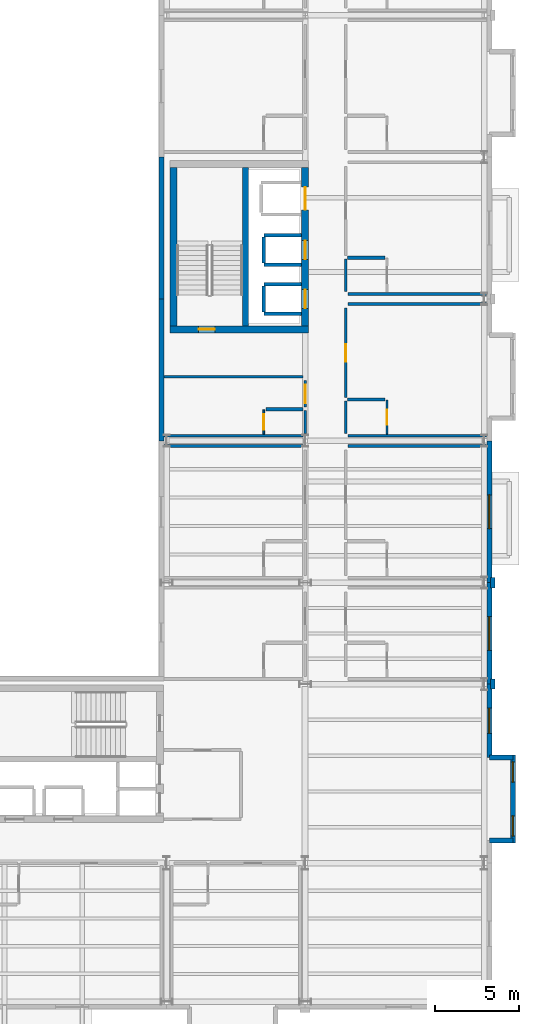
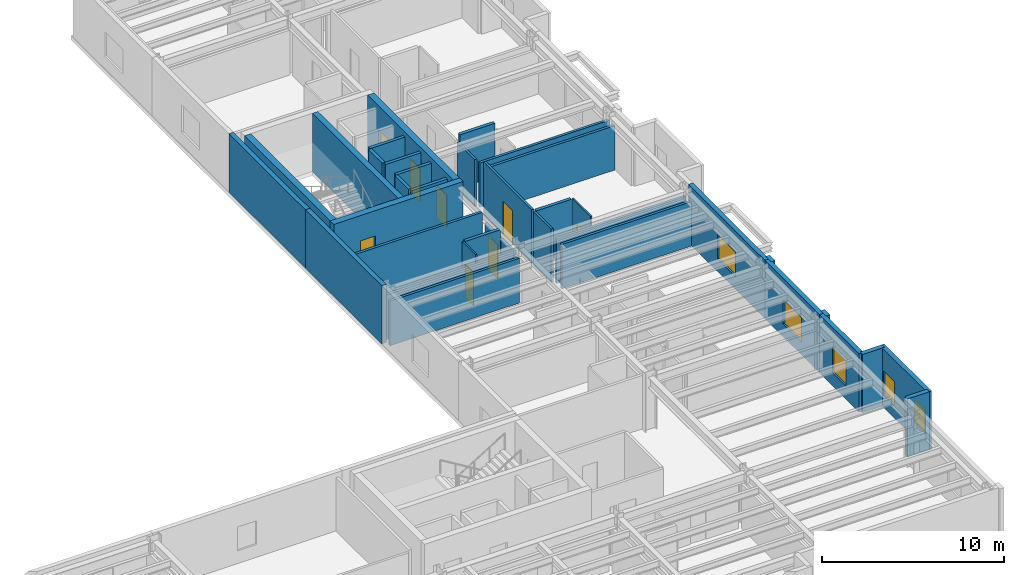
# One storey, part 37 of 46: 37 walls, 8 doors, 5 windows, 13 openings.
"""IFC4 building model written with IfcOpenShell, lengths in metres."""

import ifcopenshell
import ifcopenshell.guid

model = None  # the IFC model being written
_history = None  # IfcOwnerHistory: only IFC2X3 demands one
_inside = {}  # id of a spatial element -> (the spatial element, [elements in it])
_under = {}  # id of a project, library or spatial element -> (it, [spatial elements below it])
_declared = {}  # id of a project -> (the project, [libraries it declares])
_typed = {}  # id of a type object -> (the type object, [elements of that type])
_made_of = {}  # id of a material, layer set ... -> (it, [elements and type objects made of it])


def new_model(schema):
    """Start an empty IFC model of exactly this schema.

    Asked for "IFC4X3", IfcOpenShell would pick the latest addendum, in which some entities
    have other attributes; the version numbers below select the first issue.
    IFC2X3 requires an IfcOwnerHistory on every rooted entity: one is made here for all.
    """
    global model, _history
    if schema == "IFC4X3":
        model = ifcopenshell.file(schema_version=(4, 3, 0, 0))
    else:
        model = ifcopenshell.file(schema=schema)
    _inside.clear()
    _under.clear()
    _declared.clear()
    _typed.clear()
    _made_of.clear()
    _history = None
    if model.schema == "IFC2X3":
        org = make("IfcOrganization", Name="unknown")
        user = make(
            "IfcPersonAndOrganization",
            ThePerson=make("IfcPerson", FamilyName="unknown"),
            TheOrganization=org,
        )
        app = make(
            "IfcApplication",
            ApplicationDeveloper=org,
            Version="unknown",
            ApplicationFullName="unknown",
            ApplicationIdentifier="unknown",
        )
        _history = make(
            "IfcOwnerHistory",
            OwningUser=user,
            OwningApplication=app,
            ChangeAction="ADDED",
            CreationDate=0,
        )
    return model


def make(cls, **values):
    """One entity of the class cls with the attributes given. An attribute that is None is left unset."""
    return model.create_entity(
        cls, **{name: value for name, value in values.items() if value is not None}
    )


def rooted(cls, **values):
    """An entity with a GlobalId (a new one), such as an element, a storey or a relation."""
    return make(cls, GlobalId=ifcopenshell.guid.new(), OwnerHistory=_history, **values)


def si_unit(unit_type, name, prefix=None):
    """IfcSIUnit, for example si_unit("LENGTHUNIT", "METRE", prefix="MILLI")."""
    return make("IfcSIUnit", UnitType=unit_type, Prefix=prefix, Name=name)


def assignment(units):
    """IfcUnitAssignment: the units of a project."""
    return None if units is None else make("IfcUnitAssignment", Units=units)


def point(xyz):
    """IfcCartesianPoint."""
    return None if xyz is None else make("IfcCartesianPoint", Coordinates=xyz)


def direction(xyz):
    """IfcDirection."""
    return None if xyz is None else make("IfcDirection", DirectionRatios=xyz)


def frame(location, z_axis=None, x_axis=None):
    """IfcAxis2Placement3D, a coordinate frame: its origin and axes. An axis left out is left unset."""
    return make(
        "IfcAxis2Placement3D",
        Location=point(location),
        Axis=direction(z_axis),
        RefDirection=direction(x_axis),
    )


def frame_2d(location, x_axis=None):
    """IfcAxis2Placement2D, a coordinate frame in the plane: its origin and x axis."""
    return make(
        "IfcAxis2Placement2D", Location=point(location), RefDirection=direction(x_axis)
    )


def origin():
    """The frame at (0, 0, 0) with its axes left unset."""
    return frame((0.0, 0.0, 0.0))


def place(relative_to, where):
    """IfcLocalPlacement: puts the frame where relative to a parent placement (None: the world)."""
    return make(
        "IfcLocalPlacement", PlacementRelTo=relative_to, RelativePlacement=where
    )


def context(
    kind, dimensions, precision=None, world=None, true_north=None, identifier=None
):
    """IfcGeometricRepresentationContext, for example the 3D "Model" context."""
    return make(
        "IfcGeometricRepresentationContext",
        ContextIdentifier=identifier,
        ContextType=kind,
        CoordinateSpaceDimension=dimensions,
        Precision=precision,
        WorldCoordinateSystem=world,
        TrueNorth=true_north,
    )


def subcontext(parent, identifier, kind, view, scale=None):
    """IfcGeometricRepresentationSubContext, for example "Body" below "Model"."""
    return make(
        "IfcGeometricRepresentationSubContext",
        ContextIdentifier=identifier,
        ContextType=kind,
        ParentContext=parent,
        TargetScale=scale,
        TargetView=view,
    )


def project(units=None, contexts=None):
    """IfcProject with its units and contexts."""
    return rooted(
        "IfcProject",
        Name="project",
        RepresentationContexts=contexts,
        UnitsInContext=assignment(units),
    )


def spatial(cls, under=None, at=None, **own):
    """A site, building, storey or space (cls), placed at a placement, below another one or the project."""
    s = rooted(cls, ObjectPlacement=at, **own)
    if under is not None:
        _under.setdefault(under.id(), (under, []))[1].append(s)
    return s


def profile(cls, at=None, kind="AREA", **sizes):
    """A parametric profile (cls). Its sizes go by their IFC names, for example OverallWidth=200.0."""
    return make(cls, ProfileType=kind, Position=at, **sizes)


def rectangle(**sizes):
    """IfcRectangleProfileDef."""
    return profile("IfcRectangleProfileDef", **sizes)


def extrude(swept, where, along, depth):
    """IfcExtrudedAreaSolid: the profile swept, set in the frame where, extruded along a direction by depth."""
    return make(
        "IfcExtrudedAreaSolid",
        SweptArea=swept,
        Position=where,
        ExtrudedDirection=direction(along),
        Depth=depth,
    )


def shape(context_of_items, identifier, shape_type, items):
    """IfcShapeRepresentation: the items that make up one representation, for example the "Body"."""
    return make(
        "IfcShapeRepresentation",
        ContextOfItems=context_of_items,
        RepresentationIdentifier=identifier,
        RepresentationType=shape_type,
        Items=items,
    )


def material(Name=None, Category=None):
    """IfcMaterial."""
    return make("IfcMaterial", Name=Name, Category=Category)


def layer(
    of_material, thickness, ventilated=None, Name=None, Category=None, Priority=None
):
    """IfcMaterialLayer: one layer of a wall or slab, of a material (None: an air gap)."""
    return make(
        "IfcMaterialLayer",
        Material=of_material,
        LayerThickness=thickness,
        IsVentilated=ventilated,
        Name=Name,
        Category=Category,
        Priority=Priority,
    )


def layer_set(layers, Name=None):
    """IfcMaterialLayerSet."""
    return make("IfcMaterialLayerSet", MaterialLayers=layers, LayerSetName=Name)


def made_of(thing, what):
    """Note that an element or type object is made of a material, layer set ...; save() writes the relation."""
    if what is not None:
        _made_of.setdefault(what.id(), (what, []))[1].append(thing)
    return thing


def type_object(cls, material=None, **own):
    """A type object (cls), such as IfcWallType, which elements share."""
    return made_of(rooted(cls, **own), material)


def element(
    cls,
    number,
    at=None,
    inside=None,
    cuts=None,
    type_object=None,
    material=None,
    context=None,
    identifier="Body",
    shape_type=None,
    held_by="IfcProductDefinitionShape",
    body=None,
    shapes=None,
    **own,
):
    """One element of the class cls, such as IfcWall. Its Tag is "e" and its number.

    at: its placement. inside: the storey or other place that contains it. cuts: it is an
    opening in that element (IfcRelVoidsElement). A single representation is given by context,
    identifier, shape_type and body (its items); several are given by shapes. held_by: the class
    of the entity that holds the representations. save() writes the other relations.
    """
    e = rooted(cls, Tag="e%d" % number, ObjectPlacement=at, **own)
    if body is not None:
        shapes = [shape(context, identifier, shape_type, body)]
    if shapes is not None:
        e.Representation = make(held_by, Representations=shapes)
    if inside is not None:
        _inside.setdefault(inside.id(), (inside, []))[1].append(e)
    if cuts is not None:
        rooted(
            "IfcRelVoidsElement", RelatingBuildingElement=cuts, RelatedOpeningElement=e
        )
    if type_object is not None:
        _typed.setdefault(type_object.id(), (type_object, []))[1].append(e)
    return made_of(e, material)


def fill(opening, filler):
    """IfcRelFillsElement: the door or window that sits in an opening."""
    return rooted(
        "IfcRelFillsElement",
        RelatingOpeningElement=opening,
        RelatedBuildingElement=filler,
    )


def aggregate(whole, parts):
    """IfcRelAggregates: a whole, such as a stair, and the parts it consists of."""
    return rooted("IfcRelAggregates", RelatingObject=whole, RelatedObjects=parts)


def save(model, path):
    """Write the relations noted so far, then the file.

    IfcRelAggregates (storeys below a building ...), IfcRelContainedInSpatialStructure (elements
    in a storey), IfcRelDefinesByType, IfcRelAssociatesMaterial and IfcRelDeclares: one each for
    every whole, place, type object, material and project.
    """
    for whole, parts in _under.values():
        aggregate(whole, parts)
    for where, things in _inside.values():
        rooted(
            "IfcRelContainedInSpatialStructure",
            RelatedElements=things,
            RelatingStructure=where,
        )
    for kind, things in _typed.values():
        rooted("IfcRelDefinesByType", RelatedObjects=things, RelatingType=kind)
    for what, things in _made_of.values():
        rooted("IfcRelAssociatesMaterial", RelatedObjects=things, RelatingMaterial=what)
    for by, libraries in _declared.values():
        rooted("IfcRelDeclares", RelatingContext=by, RelatedDefinitions=libraries)
    model.write(path)


model = new_model("IFC4")

# Units and contexts
model_context = context("Model", 3, precision=1e-05, world=origin(), true_north=direction((0.0, 1.0)))
body_context = subcontext(model_context, "Body", "Model", "MODEL_VIEW")
ifc_project = project(units=[si_unit("LENGTHUNIT", "METRE"), si_unit("AREAUNIT", "SQUARE_METRE"), si_unit("VOLUMEUNIT", "CUBIC_METRE"), si_unit("PLANEANGLEUNIT", "RADIAN"), si_unit("MASSUNIT", "GRAM", prefix="KILO")], contexts=[model_context])

# Site, building, storey
site_placement = place(None, origin())
site = spatial("IfcSite", under=ifc_project, at=site_placement, CompositionType="ELEMENT")
building_placement = place(site_placement, origin())
building = spatial("IfcBuilding", under=site, at=building_placement, Name="Sollismere Congress Hotel", CompositionType="ELEMENT")
storey_placement = place(building_placement, frame((0.0, 0.0, 19.5)))
storey = spatial("IfcBuildingStorey", under=building, at=storey_placement, Name="L04", CompositionType="ELEMENT", Elevation=19.5)

# Wall, opening, window
ifc_material_1 = material(Name="Colorado Buff Sandstone Rainscreen on Insulated Backup", Category="masonry")
ifc_layer_1 = layer(ifc_material_1, 0.284912109375, Name="Colorado Buff Sandstone Rainscreen on Insulated Backup")
ifc_layer_set_1 = layer_set([ifc_layer_1], Name="Colorado Buff Sandstone Rainscreen on Insulated Backup")
wall_type_1 = type_object("IfcWallType", Name="WL-EXT285", PredefinedType="STANDARD", material=ifc_layer_set_1)
wall_1_placement = place(storey_placement, frame((166.31005859375, 14.4599609375, 0.0), z_axis=(0.0, 0.0, 1.0), x_axis=(0.0, 1.0, 0.0)))
wall_1 = element("IfcWall", 1, at=wall_1_placement, inside=storey, type_object=wall_type_1, Name="Exterior wall EW-L04-522", PredefinedType="STANDARD", context=body_context, shape_type="SweptSolid", body=[
    extrude(rectangle(XDim=4.340087890625, YDim=0.284912109375, at=frame_2d((2.169921875, 0.0))), origin(), (0.0, 0.0, 1.0), 3.89990234375),
])
opening_1_placement = place(wall_1_placement, frame((1.419921875, 0.0, 0.8798828125)))
opening_1 = element("IfcOpeningElement", 2, at=opening_1_placement, cuts=wall_1, Name="Opening W-L04-395", PredefinedType="OPENING", context=body_context, shape_type="SweptSolid", body=[
    extrude(rectangle(XDim=1.5, YDim=1.699951171875, at=frame_2d((0.75, 0.85009765625))), frame((0.0, 0.15234375, 0.0), z_axis=(0.0, -1.0, 0.0), x_axis=(1.0, 0.0, 0.0)), (0.0, 0.0, 1.0), 0.304931640625),
])
ifc_material_2 = material(Name="Thermally Broken Bronze Aluminum & Low-E Glass", Category="aluminium")
window_type_1 = type_object("IfcWindowType", Name="WN-P150x170", PartitioningType="SINGLE_PANEL", PredefinedType="WINDOW", material=ifc_material_2)
window_1_placement = place(opening_1_placement, origin())
window_1 = element("IfcWindow", 3, at=window_1_placement, inside=storey, type_object=window_type_1, Name="WIN-W-L04-395", OverallHeight=1.699951171875, OverallWidth=1.5, PartitioningType="SINGLE_PANEL", PredefinedType="WINDOW", context=body_context, shape_type="SweptSolid", body=[
    extrude(rectangle(XDim=1.5, YDim=1.699951171875, at=frame_2d((0.75, 0.85009765625))), frame((0.0, 0.030029296875, 0.0), z_axis=(0.0, -1.0, 0.0), x_axis=(1.0, 0.0, 0.0)), (0.0, 0.0, 1.0), 0.06005859375),
])
fill(opening_1, window_1)

# Wall, openings, windows
wall_2_placement = place(storey_placement, frame((167.699951171875, 9.39990234375, 0.0), z_axis=(0.0, 0.0, 1.0), x_axis=(0.0, 1.0, 0.0)))
wall_2 = element("IfcWall", 4, at=wall_2_placement, inside=storey, type_object=wall_type_1, Name="Exterior wall EW-L04-523", PredefinedType="STANDARD", context=body_context, shape_type="SweptSolid", body=[
    extrude(rectangle(XDim=5.2001953125, YDim=0.284912109375, at=frame_2d((2.60009765625, 0.0))), origin(), (0.0, 0.0, 1.0), 3.89990234375),
])
opening_2_placement = place(wall_2_placement, frame((0.39990234375, 0.0, 0.85009765625)))
opening_2 = element("IfcOpeningElement", 5, at=opening_2_placement, cuts=wall_2, Name="Opening W-L04-396", PredefinedType="OPENING", context=body_context, shape_type="SweptSolid", body=[
    extrude(rectangle(XDim=1.199951171875, YDim=1.60009765625, at=frame_2d((0.60009765625, 0.800048828125))), frame((0.0, 0.15234375, 0.0), z_axis=(0.0, -1.0, 0.0), x_axis=(1.0, 0.0, 0.0)), (0.0, 0.0, 1.0), 0.304931640625),
])
opening_3_placement = place(wall_2_placement, frame((3.60009765625, 0.0, 0.85009765625)))
opening_3 = element("IfcOpeningElement", 6, at=opening_3_placement, cuts=wall_2, Name="Opening W-L04-397", PredefinedType="OPENING", context=body_context, shape_type="SweptSolid", body=[
    extrude(rectangle(XDim=1.199951171875, YDim=1.60009765625, at=frame_2d((0.60009765625, 0.800048828125))), frame((0.0, 0.15234375, 0.0), z_axis=(0.0, -1.0, 0.0), x_axis=(1.0, 0.0, 0.0)), (0.0, 0.0, 1.0), 0.304931640625),
])
window_type_2 = type_object("IfcWindowType", Name="WN-P120x160", PartitioningType="SINGLE_PANEL", PredefinedType="WINDOW", material=ifc_material_2)
window_2_placement = place(opening_2_placement, origin())
window_2 = element("IfcWindow", 7, at=window_2_placement, inside=storey, type_object=window_type_2, Name="WIN-W-L04-396", OverallHeight=1.60009765625, OverallWidth=1.199951171875, PartitioningType="SINGLE_PANEL", PredefinedType="WINDOW", context=body_context, shape_type="SweptSolid", body=[
    extrude(rectangle(XDim=1.199951171875, YDim=1.60009765625, at=frame_2d((0.60009765625, 0.800048828125))), frame((0.0, 0.030029296875, 0.0), z_axis=(0.0, -1.0, 0.0), x_axis=(1.0, 0.0, 0.0)), (0.0, 0.0, 1.0), 0.06005859375),
])
fill(opening_2, window_2)
window_3_placement = place(opening_3_placement, origin())
window_3 = element("IfcWindow", 8, at=window_3_placement, inside=storey, type_object=window_type_2, Name="WIN-W-L04-397", OverallHeight=1.60009765625, OverallWidth=1.199951171875, PartitioningType="SINGLE_PANEL", PredefinedType="WINDOW", context=body_context, shape_type="SweptSolid", body=[
    extrude(rectangle(XDim=1.199951171875, YDim=1.60009765625, at=frame_2d((0.60009765625, 0.800048828125))), frame((0.0, 0.030029296875, 0.0), z_axis=(0.0, -1.0, 0.0), x_axis=(1.0, 0.0, 0.0)), (0.0, 0.0, 1.0), 0.06005859375),
])
fill(opening_3, window_3)

# Walls
for number, where, z_axis, x_axis, name in (
    (9, (166.31005859375, 9.5400390625, 0.0), (0.0, 0.0, 1.0), (1.0, 0.0, 0.0), "Exterior wall EW-L04-524"),
    (10, (167.699951171875, 14.4599609375, 0.0), (0.0, 0.0, 1.0), (-1.0, 0.0, 0.0), "Exterior wall EW-L04-525"),
):
    element("IfcWall", number, at=place(storey_placement, frame(where, z_axis=z_axis, x_axis=x_axis)), inside=storey, type_object=wall_type_1, Name=name, PredefinedType="STANDARD", context=body_context, shape_type="SweptSolid", body=[
        extrude(rectangle(XDim=1.389892578125, YDim=0.284912109375, at=frame_2d((0.69482421875, 0.0))), origin(), (0.0, 0.0, 1.0), 3.89990234375),
    ])

# Wall, opening, window
wall_3_placement = place(storey_placement, frame((166.31005859375, 18.800048828125, 0.0), z_axis=(0.0, 0.0, 1.0), x_axis=(0.0, 1.0, 0.0)))
wall_3 = element("IfcWall", 11, at=wall_3_placement, inside=storey, type_object=wall_type_1, Name="Exterior wall EW-L04-526", PredefinedType="STANDARD", context=body_context, shape_type="SweptSolid", body=[
    extrude(rectangle(XDim=6.0, YDim=0.284912109375, at=frame_2d((3.0, 0.0))), origin(), (0.0, 0.0, 1.0), 3.89990234375),
])
opening_4_placement = place(wall_3_placement, frame((2.0, 0.0, 0.85009765625)))
opening_4 = element("IfcOpeningElement", 12, at=opening_4_placement, cuts=wall_3, Name="Opening W-L04-398", PredefinedType="OPENING", context=body_context, shape_type="SweptSolid", body=[
    extrude(rectangle(XDim=2.0, YDim=1.64990234375, at=frame_2d((1.0, 0.824951171875))), frame((0.0, 0.15234375, 0.0), z_axis=(0.0, -1.0, 0.0), x_axis=(1.0, 0.0, 0.0)), (0.0, 0.0, 1.0), 0.304931640625),
])
window_type_3 = type_object("IfcWindowType", Name="WN-P200x165", PartitioningType="SINGLE_PANEL", PredefinedType="WINDOW", material=ifc_material_2)
window_4_placement = place(opening_4_placement, origin())
window_4 = element("IfcWindow", 13, at=window_4_placement, inside=storey, type_object=window_type_3, Name="WIN-W-L04-398", OverallHeight=1.64990234375, OverallWidth=2.0, PartitioningType="SINGLE_PANEL", PredefinedType="WINDOW", context=body_context, shape_type="SweptSolid", body=[
    extrude(rectangle(XDim=2.0, YDim=1.64990234375, at=frame_2d((1.0, 0.824951171875))), frame((0.0, 0.030029296875, 0.0), z_axis=(0.0, -1.0, 0.0), x_axis=(1.0, 0.0, 0.0)), (0.0, 0.0, 1.0), 0.06005859375),
])
fill(opening_4, window_4)

wall_4_placement = place(storey_placement, frame((166.31005859375, 24.800048828125, 0.0), z_axis=(0.0, 0.0, 1.0), x_axis=(0.0, 1.0, 0.0)))
wall_4 = element("IfcWall", 14, at=wall_4_placement, inside=storey, type_object=wall_type_1, Name="Exterior wall EW-L04-528", PredefinedType="STANDARD", context=body_context, shape_type="SweptSolid", body=[
    extrude(rectangle(XDim=8.39990234375, YDim=0.284912109375, at=frame_2d((4.199951171875, 0.0))), origin(), (0.0, 0.0, 1.0), 3.89990234375),
])
opening_5_placement = place(wall_4_placement, frame((3.199951171875, 0.0, 0.85009765625)))
opening_5 = element("IfcOpeningElement", 15, at=opening_5_placement, cuts=wall_4, Name="Opening W-L04-399", PredefinedType="OPENING", context=body_context, shape_type="SweptSolid", body=[
    extrude(rectangle(XDim=2.0, YDim=1.64990234375, at=frame_2d((1.0, 0.824951171875))), frame((0.0, 0.15234375, 0.0), z_axis=(0.0, -1.0, 0.0), x_axis=(1.0, 0.0, 0.0)), (0.0, 0.0, 1.0), 0.304931640625),
])
window_5_placement = place(opening_5_placement, origin())
window_5 = element("IfcWindow", 16, at=window_5_placement, inside=storey, type_object=window_type_3, Name="WIN-W-L04-399", OverallHeight=1.64990234375, OverallWidth=2.0, PartitioningType="SINGLE_PANEL", PredefinedType="WINDOW", context=body_context, shape_type="SweptSolid", body=[
    extrude(rectangle(XDim=2.0, YDim=1.64990234375, at=frame_2d((1.0, 0.824951171875))), frame((0.0, 0.030029296875, 0.0), z_axis=(0.0, -1.0, 0.0), x_axis=(1.0, 0.0, 0.0)), (0.0, 0.0, 1.0), 0.06005859375),
])
fill(opening_5, window_5)

# Walls
wall_5_placement = place(storey_placement, frame((146.889892578125, 33.199951171875, 0.0), z_axis=(0.0, 0.0, 1.0), x_axis=(0.0, 1.0, 0.0)))
element("IfcWall", 17, at=wall_5_placement, inside=storey, type_object=wall_type_1, Name="Exterior wall EW-L04-558", PredefinedType="STANDARD", context=body_context, shape_type="SweptSolid", body=[
    extrude(rectangle(XDim=8.400146484375, YDim=0.284912109375, at=frame_2d((4.2001953125, 0.0))), origin(), (0.0, 0.0, 1.0), 3.89990234375),
])
wall_6_placement = place(storey_placement, frame((146.889892578125, 41.60009765625, 0.0), z_axis=(0.0, 0.0, 1.0), x_axis=(0.0, 1.0, 0.0)))
element("IfcWall", 18, at=wall_6_placement, inside=storey, type_object=wall_type_1, Name="Exterior wall EW-L04-559", PredefinedType="STANDARD", context=body_context, shape_type="SweptSolid", body=[
    extrude(rectangle(XDim=8.39990234375, YDim=0.284912109375, at=frame_2d((4.199951171875, 0.0))), origin(), (0.0, 0.0, 1.0), 3.89990234375),
])
ifc_material_3 = material(Name="Carved Travertine Pilaster & Frieze Assembly", Category="masonry")
ifc_layer_2 = layer(ifc_material_3, 0.260009765625, Name="Carved Travertine Pilaster & Frieze Assembly")
ifc_layer_set_2 = layer_set([ifc_layer_2], Name="Carved Travertine Pilaster & Frieze Assembly")
wall_type_2 = type_object("IfcWallType", Name="WL-PIL280", PredefinedType="ELEMENTEDWALL", material=ifc_layer_set_2)
for number, where, z_axis, x_axis, name in (
    (19, (166.52001953125, 18.5, 0.0), (0.0, 0.0, 1.0), (0.0, 1.0, 0.0), "Exterior wall EW-L04-527"),
    (20, (166.52001953125, 24.5, 0.0), (0.0, 0.0, 1.0), (0.0, 1.0, 0.0), "Exterior wall EW-L04-529"),
):
    element("IfcWall", number, at=place(storey_placement, frame(where, z_axis=z_axis, x_axis=x_axis)), inside=storey, type_object=wall_type_2, Name=name, PredefinedType="ELEMENTEDWALL", context=body_context, shape_type="SweptSolid", body=[
        extrude(rectangle(XDim=0.60009765625, YDim=0.260009765625, at=frame_2d((0.300048828125, 0.0))), origin(), (0.0, 0.0, 1.0), 3.89990234375),
    ])
ifc_material_4 = material(Name="Moisture-Resistant Shaft Gypsum Assembly")
ifc_layer_3 = layer(ifc_material_4, 0.199951171875, Name="Moisture-Resistant Shaft Gypsum Assembly")
ifc_layer_set_3 = layer_set([ifc_layer_3], Name="Moisture-Resistant Shaft Gypsum Assembly")
wall_type_3 = type_object("IfcWallType", Name="WL-PLM200", PredefinedType="PLUMBINGWALL", material=ifc_layer_set_3)
for number, where, z_axis, x_axis, name in (
    (21, (152.955078125, 40.72998046875, 0.0), (0.0, 0.0, 1.0), (1.0, 0.0, 0.0), "Interior wall IW-L04-0453"),
    (22, (152.955078125, 42.469970703125, 0.0), (0.0, 0.0, 1.0), (1.0, 0.0, 0.0), "Interior wall IW-L04-0454"),
):
    element("IfcWall", number, at=place(storey_placement, frame(where, z_axis=z_axis, x_axis=x_axis)), inside=storey, type_object=wall_type_3, Name=name, PredefinedType="PLUMBINGWALL", context=body_context, shape_type="SweptSolid", body=[
        extrude(rectangle(XDim=2.23291015625, YDim=0.199951171875, at=frame_2d((1.116455078125, 0.0))), origin(), (0.0, 0.0, 1.0), 3.5849609375),
    ])
wall_7_placement = place(storey_placement, frame((152.955078125, 40.842041015625, 0.0), z_axis=(0.0, 0.0, 1.0), x_axis=(0.0, 1.0, 0.0)))
element("IfcWall", 23, at=wall_7_placement, inside=storey, type_object=wall_type_3, Name="Interior wall IW-L04-0455", PredefinedType="PLUMBINGWALL", context=body_context, shape_type="SweptSolid", body=[
    extrude(rectangle(XDim=1.515869140625, YDim=0.199951171875, at=frame_2d((0.7578125, 0.0))), origin(), (0.0, 0.0, 1.0), 3.5849609375),
])
for number, where, z_axis, x_axis, name in (
    (24, (152.955078125, 43.6298828125, 0.0), (0.0, 0.0, 1.0), (1.0, 0.0, 0.0), "Interior wall IW-L04-0456"),
    (25, (152.955078125, 45.3701171875, 0.0), (0.0, 0.0, 1.0), (1.0, 0.0, 0.0), "Interior wall IW-L04-0457"),
):
    element("IfcWall", number, at=place(storey_placement, frame(where, z_axis=z_axis, x_axis=x_axis)), inside=storey, type_object=wall_type_3, Name=name, PredefinedType="PLUMBINGWALL", context=body_context, shape_type="SweptSolid", body=[
        extrude(rectangle(XDim=2.23291015625, YDim=0.199951171875, at=frame_2d((1.116455078125, 0.0))), origin(), (0.0, 0.0, 1.0), 3.5849609375),
    ])
wall_8_placement = place(storey_placement, frame((152.955078125, 43.741943359375, 0.0), z_axis=(0.0, 0.0, 1.0), x_axis=(0.0, 1.0, 0.0)))
element("IfcWall", 26, at=wall_8_placement, inside=storey, type_object=wall_type_3, Name="Interior wall IW-L04-0458", PredefinedType="PLUMBINGWALL", context=body_context, shape_type="SweptSolid", body=[
    extrude(rectangle(XDim=1.51611328125, YDim=0.199951171875, at=frame_2d((0.758056640625, 0.0))), origin(), (0.0, 0.0, 1.0), 3.5849609375),
])
for number, where, z_axis, x_axis, name in (
    (27, (157.919921875, 35.64990234375, 0.0), (0.0, 0.0, 1.0), (1.0, 0.0, 0.0), "Interior wall IW-L04-1673"),
    (28, (153.070068359375, 35.074951171875, 0.0), (0.0, 0.0, 1.0), (1.0, 0.0, 0.0), "Interior wall IW-L04-1679"),
    (29, (157.919921875, 44.050048828125, 0.0), (0.0, 0.0, 1.0), (1.0, 0.0, 0.0), "Interior wall IW-L04-1685"),
):
    element("IfcWall", number, at=place(storey_placement, frame(where, z_axis=z_axis, x_axis=x_axis)), inside=storey, type_object=wall_type_3, Name=name, PredefinedType="PLUMBINGWALL", context=body_context, shape_type="SweptSolid", body=[
        extrude(rectangle(XDim=2.2099609375, YDim=0.199951171875, at=frame_2d((1.10498046875, 0.0))), origin(), (0.0, 0.0, 1.0), 3.5849609375),
    ])

# Wall, opening, door
ifc_material_5 = material(Name="Moisture-Resistant Gypsum Partition")
ifc_layer_4 = layer(ifc_material_5, 0.10009765625, Name="Moisture-Resistant Gypsum Partition")
ifc_layer_set_4 = layer_set([ifc_layer_4], Name="Moisture-Resistant Gypsum Partition")
wall_type_4 = type_object("IfcWallType", Name="WL-PRT100", PredefinedType="PARTITIONING", material=ifc_layer_set_4)
wall_9_placement = place(storey_placement, frame((160.25, 33.594482421875, 0.0), z_axis=(0.0, 0.0, 1.0), x_axis=(0.0, 1.0, 0.0)))
wall_9 = element("IfcWall", 30, at=wall_9_placement, inside=storey, type_object=wall_type_4, Name="Interior wall IW-L04-1674", PredefinedType="PARTITIONING", context=body_context, shape_type="SweptSolid", body=[
    extrude(rectangle(XDim=2.015625, YDim=0.10009765625, at=frame_2d((1.0078125, 0.0))), origin(), (0.0, 0.0, 1.0), 3.5849609375),
])
opening_6_placement = place(wall_9_placement, frame((0.554931640625, 0.0, 0.0)))
opening_6 = element("IfcOpeningElement", 31, at=opening_6_placement, cuts=wall_9, Name="Opening D-L04-0590", PredefinedType="OPENING", context=body_context, shape_type="SweptSolid", body=[
    extrude(rectangle(XDim=0.905029296875, YDim=2.179931640625, at=frame_2d((0.45263671875, 1.08984375))), frame((0.0, 0.06005859375, 0.0), z_axis=(0.0, -1.0, 0.0), x_axis=(1.0, 0.0, 0.0)), (0.0, 0.0, 1.0), 0.1201171875),
])
ifc_material_6 = material(Name="Moisture-Sealed Timber Bathroom Door", Category="wood")
door_type_1 = type_object("IfcDoorType", Name="DR-BT06", OperationType="NOTDEFINED", PredefinedType="DOOR", material=ifc_material_6)
door_1_placement = place(opening_6_placement, origin())
door_1 = element("IfcDoor", 32, at=door_1_placement, inside=storey, type_object=door_type_1, Name="En-suite bathroom door D-L04-0590", OperationType="SINGLE_SWING_LEFT", OverallHeight=2.179931640625, OverallWidth=0.905029296875, PredefinedType="DOOR", context=body_context, shape_type="SweptSolid", body=[
    extrude(rectangle(XDim=0.905029296875, YDim=2.179931640625, at=frame_2d((0.45263671875, 1.08984375))), frame((0.0, 0.02490234375, 0.0), z_axis=(0.0, -1.0, 0.0), x_axis=(1.0, 0.0, 0.0)), (0.0, 0.0, 1.0), 0.050048828125),
])
fill(opening_6, door_1)

wall_10_placement = place(storey_placement, frame((152.949951171875, 33.594482421875, 0.0), z_axis=(0.0, 0.0, 1.0), x_axis=(0.0, 1.0, 0.0)))
wall_10 = element("IfcWall", 33, at=wall_10_placement, inside=storey, type_object=wall_type_4, Name="Interior wall IW-L04-1680", PredefinedType="PARTITIONING", context=body_context, shape_type="SweptSolid", body=[
    extrude(rectangle(XDim=1.4404296875, YDim=0.10009765625, at=frame_2d((0.72021484375, 0.0))), origin(), (0.0, 0.0, 1.0), 3.5849609375),
])
opening_7_placement = place(wall_10_placement, frame((0.2548828125, 0.0, 0.0)))
opening_7 = element("IfcOpeningElement", 34, at=opening_7_placement, cuts=wall_10, Name="Opening D-L04-0592", PredefinedType="OPENING", context=body_context, shape_type="SweptSolid", body=[
    extrude(rectangle(XDim=0.929931640625, YDim=2.219970703125, at=frame_2d((0.46484375, 1.10986328125))), frame((0.0, 0.06005859375, 0.0), z_axis=(0.0, -1.0, 0.0), x_axis=(1.0, 0.0, 0.0)), (0.0, 0.0, 1.0), 0.1201171875),
])
door_type_2 = type_object("IfcDoorType", Name="DR-BT07", OperationType="NOTDEFINED", PredefinedType="DOOR", material=ifc_material_6)
door_2_placement = place(opening_7_placement, origin())
door_2 = element("IfcDoor", 35, at=door_2_placement, inside=storey, type_object=door_type_2, Name="En-suite bathroom door D-L04-0592", OperationType="SINGLE_SWING_LEFT", OverallHeight=2.219970703125, OverallWidth=0.929931640625, PredefinedType="DOOR", context=body_context, shape_type="SweptSolid", body=[
    extrude(rectangle(XDim=0.929931640625, YDim=2.219970703125, at=frame_2d((0.46484375, 1.10986328125))), frame((0.0, 0.02490234375, 0.0), z_axis=(0.0, -1.0, 0.0), x_axis=(1.0, 0.0, 0.0)), (0.0, 0.0, 1.0), 0.050048828125),
])
fill(opening_7, door_2)

# Wall
ifc_material_7 = material(Name="Fire-Rated Gypsum Partition")
ifc_layer_5 = layer(ifc_material_7, 0.139892578125, Name="Fire-Rated Gypsum Partition")
ifc_layer_set_5 = layer_set([ifc_layer_5], Name="Fire-Rated Gypsum Partition")
wall_type_5 = type_object("IfcWallType", Name="WL-PRT140R", PredefinedType="PARTITIONING", material=ifc_layer_set_5)
wall_11_placement = place(storey_placement, frame((157.800048828125, 33.639892578125, 0.0), z_axis=(0.0, 0.0, 1.0), x_axis=(0.0, 1.0, 0.0)))
element("IfcWall", 36, at=wall_11_placement, inside=storey, type_object=wall_type_5, Name="Interior wall IW-L04-1669", PredefinedType="PARTITIONING", context=body_context, shape_type="SweptSolid", body=[
    extrude(rectangle(XDim=1.93017578125, YDim=0.139892578125, at=frame_2d((0.965087890625, 0.0))), origin(), (0.0, 0.0, 1.0), 3.5849609375),
])

# Wall, opening, door
wall_12_placement = place(storey_placement, frame((157.800048828125, 35.77001953125, 0.0), z_axis=(0.0, 0.0, 1.0), x_axis=(0.0, 1.0, 0.0)))
wall_12 = element("IfcWall", 37, at=wall_12_placement, inside=storey, type_object=wall_type_5, Name="Interior wall IW-L04-1670", PredefinedType="PARTITIONING", context=body_context, shape_type="SweptSolid", body=[
    extrude(rectangle(XDim=5.2900390625, YDim=0.139892578125, at=frame_2d((2.64501953125, 0.0))), origin(), (0.0, 0.0, 1.0), 3.5849609375),
])
opening_8_placement = place(wall_12_placement, frame((2.125, 0.0, 0.0)))
opening_8 = element("IfcOpeningElement", 38, at=opening_8_placement, cuts=wall_12, Name="Opening D-L04-0589", PredefinedType="OPENING", context=body_context, shape_type="SweptSolid", body=[
    extrude(rectangle(XDim=1.0400390625, YDim=2.25, at=frame_2d((0.52001953125, 1.125))), frame((0.0, 0.079833984375, 0.0), z_axis=(0.0, -1.0, 0.0), x_axis=(1.0, 0.0, 0.0)), (0.0, 0.0, 1.0), 0.159912109375),
])
ifc_material_8 = material(Name="Solid-Core Acoustic Walnut Guestroom Entry Door")
door_type_3 = type_object("IfcDoorType", Name="DR-KY05", OperationType="NOTDEFINED", PredefinedType="DOOR", material=ifc_material_8)
door_3_placement = place(opening_8_placement, origin())
door_3 = element("IfcDoor", 39, at=door_3_placement, inside=storey, type_object=door_type_3, Name="Hotel room entry door D-L04-0589", OperationType="SINGLE_SWING_RIGHT", OverallHeight=2.25, OverallWidth=1.0400390625, PredefinedType="DOOR", context=body_context, shape_type="SweptSolid", body=[
    extrude(rectangle(XDim=1.0400390625, YDim=2.25, at=frame_2d((0.52001953125, 1.125))), frame((0.0, 0.02490234375, 0.0), z_axis=(0.0, -1.0, 0.0), x_axis=(1.0, 0.0, 0.0)), (0.0, 0.0, 1.0), 0.050048828125),
])
fill(opening_8, door_3)

# Wall
wall_13_placement = place(storey_placement, frame((155.39990234375, 33.639892578125, 0.0), z_axis=(0.0, 0.0, 1.0), x_axis=(0.0, 1.0, 0.0)))
element("IfcWall", 40, at=wall_13_placement, inside=storey, type_object=wall_type_5, Name="Interior wall IW-L04-1675", PredefinedType="PARTITIONING", context=body_context, shape_type="SweptSolid", body=[
    extrude(rectangle(XDim=1.355224609375, YDim=0.139892578125, at=frame_2d((0.677734375, 0.0))), origin(), (0.0, 0.0, 1.0), 2.97509765625),
])

# Wall, opening, door
wall_14_placement = place(storey_placement, frame((155.39990234375, 35.195068359375, 0.0), z_axis=(0.0, 0.0, 1.0), x_axis=(0.0, 1.0, 0.0)))
wall_14 = element("IfcWall", 41, at=wall_14_placement, inside=storey, type_object=wall_type_5, Name="Interior wall IW-L04-1676", PredefinedType="PARTITIONING", context=body_context, shape_type="SweptSolid", body=[
    extrude(rectangle(XDim=1.56494140625, YDim=0.139892578125, at=frame_2d((0.782470703125, 0.0))), origin(), (0.0, 0.0, 1.0), 2.97509765625),
])
opening_9_placement = place(wall_14_placement, frame((0.2470703125, 0.0, 0.0)))
opening_9 = element("IfcOpeningElement", 42, at=opening_9_placement, cuts=wall_14, Name="Opening D-L04-0591", PredefinedType="OPENING", context=body_context, shape_type="SweptSolid", body=[
    extrude(rectangle(XDim=1.070068359375, YDim=2.25, at=frame_2d((0.53515625, 1.125))), frame((0.0, 0.079833984375, 0.0), z_axis=(0.0, -1.0, 0.0), x_axis=(1.0, 0.0, 0.0)), (0.0, 0.0, 1.0), 0.159912109375),
])
door_type_4 = type_object("IfcDoorType", Name="DR-KY06", OperationType="NOTDEFINED", PredefinedType="DOOR", material=ifc_material_8)
door_4_placement = place(opening_9_placement, origin())
door_4 = element("IfcDoor", 43, at=door_4_placement, inside=storey, type_object=door_type_4, Name="Hotel room entry door D-L04-0591", OperationType="SINGLE_SWING_RIGHT", OverallHeight=2.25, OverallWidth=1.070068359375, PredefinedType="DOOR", context=body_context, shape_type="SweptSolid", body=[
    extrude(rectangle(XDim=1.070068359375, YDim=2.25, at=frame_2d((0.53515625, 1.125))), frame((0.0, 0.02490234375, 0.0), z_axis=(0.0, -1.0, 0.0), x_axis=(1.0, 0.0, 0.0)), (0.0, 0.0, 1.0), 0.050048828125),
])
fill(opening_9, door_4)

# Walls
wall_15_placement = place(storey_placement, frame((157.800048828125, 42.0400390625, 0.0), z_axis=(0.0, 0.0, 1.0), x_axis=(0.0, 1.0, 0.0)))
element("IfcWall", 44, at=wall_15_placement, inside=storey, type_object=wall_type_5, Name="Interior wall IW-L04-1681", PredefinedType="PARTITIONING", context=body_context, shape_type="SweptSolid", body=[
    extrude(rectangle(XDim=1.929931640625, YDim=0.139892578125, at=frame_2d((0.96484375, 0.0))), origin(), (0.0, 0.0, 1.0), 3.137939453125),
])
ifc_material_9 = material(Name="Fire-Rated Acoustic Gypsum Partition")
ifc_layer_6 = layer(ifc_material_9, 0.1650390625, Name="Fire-Rated Acoustic Gypsum Partition")
ifc_layer_set_6 = layer_set([ifc_layer_6], Name="Fire-Rated Acoustic Gypsum Partition")
wall_type_6 = type_object("IfcWallType", Name="WL-PRT165R", PredefinedType="PARTITIONING", material=ifc_layer_set_6)
wall_16_placement = place(storey_placement, frame((157.93994140625, 32.89990234375, 0.0), z_axis=(0.0, 0.0, 1.0), x_axis=(1.0, 0.0, 0.0)))
element("IfcWall", 45, at=wall_16_placement, inside=storey, type_object=wall_type_6, Name="Interior wall IW-L04-1660", PredefinedType="PARTITIONING", context=body_context, shape_type="SweptSolid", body=[
    extrude(rectangle(XDim=8.212646484375, YDim=0.1650390625, at=frame_2d((4.1064453125, 0.0))), origin(), (0.0, 0.0, 1.0), 2.97509765625),
])
wall_17_placement = place(storey_placement, frame((147.047607421875, 32.89990234375, 0.0), z_axis=(0.0, 0.0, 1.0), x_axis=(1.0, 0.0, 0.0)))
element("IfcWall", 46, at=wall_17_placement, inside=storey, type_object=wall_type_6, Name="Interior wall IW-L04-1666", PredefinedType="PARTITIONING", context=body_context, shape_type="SweptSolid", body=[
    extrude(rectangle(XDim=8.21240234375, YDim=0.1650390625, at=frame_2d((4.106201171875, 0.0))), origin(), (0.0, 0.0, 1.0), 2.998046875),
])
for number, where, z_axis, x_axis, name in (
    (47, (157.93994140625, 33.5, 0.0), (0.0, 0.0, 1.0), (1.0, 0.0, 0.0), "Interior wall IW-L04-1671"),
    (48, (157.93994140625, 41.300048828125, 0.0), (0.0, 0.0, 1.0), (1.0, 0.0, 0.0), "Interior wall IW-L04-1672"),
):
    element("IfcWall", number, at=place(storey_placement, frame(where, z_axis=z_axis, x_axis=x_axis)), inside=storey, type_object=wall_type_6, Name=name, PredefinedType="PARTITIONING", context=body_context, shape_type="SweptSolid", body=[
        extrude(rectangle(XDim=8.212646484375, YDim=0.1650390625, at=frame_2d((4.1064453125, 0.0))), origin(), (0.0, 0.0, 1.0), 2.97509765625),
    ])
wall_18_placement = place(storey_placement, frame((147.047607421875, 33.5, 0.0), z_axis=(0.0, 0.0, 1.0), x_axis=(1.0, 0.0, 0.0)))
element("IfcWall", 49, at=wall_18_placement, inside=storey, type_object=wall_type_6, Name="Interior wall IW-L04-1677", PredefinedType="PARTITIONING", context=body_context, shape_type="SweptSolid", body=[
    extrude(rectangle(XDim=8.21240234375, YDim=0.1650390625, at=frame_2d((4.106201171875, 0.0))), origin(), (0.0, 0.0, 1.0), 2.998046875),
])
wall_19_placement = place(storey_placement, frame((147.047607421875, 37.0, 0.0), z_axis=(0.0, 0.0, 1.0), x_axis=(1.0, 0.0, 0.0)))
element("IfcWall", 50, at=wall_19_placement, inside=storey, type_object=wall_type_6, Name="Interior wall IW-L04-1678", PredefinedType="PARTITIONING", context=body_context, shape_type="SweptSolid", body=[
    extrude(rectangle(XDim=8.21240234375, YDim=0.1650390625, at=frame_2d((4.106201171875, 0.0))), origin(), (0.0, 0.0, 1.0), 3.5849609375),
])
wall_20_placement = place(storey_placement, frame((157.93994140625, 41.89990234375, 0.0), z_axis=(0.0, 0.0, 1.0), x_axis=(1.0, 0.0, 0.0)))
element("IfcWall", 51, at=wall_20_placement, inside=storey, type_object=wall_type_6, Name="Interior wall IW-L04-1683", PredefinedType="PARTITIONING", context=body_context, shape_type="SweptSolid", body=[
    extrude(rectangle(XDim=8.212646484375, YDim=0.1650390625, at=frame_2d((4.1064453125, 0.0))), origin(), (0.0, 0.0, 1.0), 2.97509765625),
])
ifc_material_10 = material(Name="Concrete C50/60", Category="concrete")
ifc_layer_7 = layer(ifc_material_10, 0.35009765625, Name="Concrete C50/60")
ifc_layer_set_7 = layer_set([ifc_layer_7], Name="Concrete C50/60")
wall_type_7 = type_object("IfcWallType", Name="WL-SHR350", PredefinedType="SHEAR", material=ifc_layer_set_7)
wall_21_placement = place(storey_placement, frame((151.875, 40.0, 0.0), z_axis=(0.0, 0.0, 1.0), x_axis=(0.0, 1.0, 0.0)))
element("IfcWall", 52, at=wall_21_placement, inside=storey, type_object=wall_type_7, Name="Interior wall IW-L04-0452", PredefinedType="SHEAR", context=body_context, shape_type="SweptSolid", body=[
    extrude(rectangle(XDim=9.39990234375, YDim=0.35009765625, at=frame_2d((4.699951171875, 0.0))), origin(), (0.0, 0.0, 1.0), 3.89990234375),
])

# Wall, opening, door
ifc_layer_8 = layer(ifc_material_10, 0.39990234375, Name="Concrete C50/60")
ifc_layer_set_8 = layer_set([ifc_layer_8], Name="Concrete C50/60")
wall_type_8 = type_object("IfcWallType", Name="WL-SHR400", PredefinedType="SHEAR", material=ifc_layer_set_8)
wall_22_placement = place(storey_placement, frame((147.39990234375, 39.800048828125, 0.0), z_axis=(0.0, 0.0, 1.0), x_axis=(1.0, 0.0, 0.0)))
wall_22 = element("IfcWall", 53, at=wall_22_placement, inside=storey, type_object=wall_type_8, Name="Interior wall IW-L04-0448", PredefinedType="SHEAR", context=body_context, shape_type="SweptSolid", body=[
    extrude(rectangle(XDim=8.2001953125, YDim=0.39990234375, at=frame_2d((4.10009765625, 0.0))), origin(), (0.0, 0.0, 1.0), 3.89990234375),
])
opening_10_placement = place(wall_22_placement, frame((1.699951171875, 0.0, 0.0)))
opening_10 = element("IfcOpeningElement", 54, at=opening_10_placement, cuts=wall_22, Name="Opening D-ST-03-L04", PredefinedType="OPENING", context=body_context, shape_type="SweptSolid", body=[
    extrude(rectangle(XDim=0.949951171875, YDim=2.199951171875, at=frame_2d((0.47509765625, 1.10009765625))), frame((0.0, 0.2099609375, 0.0), z_axis=(0.0, -1.0, 0.0), x_axis=(1.0, 0.0, 0.0)), (0.0, 0.0, 1.0), 0.419921875),
])
ifc_material_11 = material(Name="Fire-Rated Insulated Steel Door", Category="steel")
door_type_5 = type_object("IfcDoorType", Name="DR-FD90", OperationType="NOTDEFINED", PredefinedType="DOOR", material=ifc_material_11)
door_5_placement = place(opening_10_placement, origin())
door_5 = element("IfcDoor", 55, at=door_5_placement, inside=storey, type_object=door_type_5, Name="Exit stair fire door D-ST-03-L04", OperationType="SINGLE_SWING_RIGHT", OverallHeight=2.199951171875, OverallWidth=0.949951171875, PredefinedType="DOOR", context=body_context, shape_type="SweptSolid", body=[
    extrude(rectangle(XDim=0.949951171875, YDim=2.199951171875, at=frame_2d((0.47509765625, 1.10009765625))), frame((0.0, 0.02490234375, 0.0), z_axis=(0.0, -1.0, 0.0), x_axis=(1.0, 0.0, 0.0)), (0.0, 0.0, 1.0), 0.050048828125),
])
fill(opening_10, door_5)

# Wall
wall_23_placement = place(storey_placement, frame((147.60009765625, 49.39990234375, 0.0), z_axis=(0.0, 0.0, 1.0), x_axis=(0.0, -1.0, 0.0)))
element("IfcWall", 56, at=wall_23_placement, inside=storey, type_object=wall_type_8, Name="Interior wall IW-L04-0450", PredefinedType="SHEAR", context=body_context, shape_type="SweptSolid", body=[
    extrude(rectangle(XDim=9.39990234375, YDim=0.39990234375, at=frame_2d((4.699951171875, 0.0))), origin(), (0.0, 0.0, 1.0), 3.89990234375),
])

# Wall, openings, doors
wall_24_placement = place(storey_placement, frame((155.39990234375, 40.0, 0.0), z_axis=(0.0, 0.0, 1.0), x_axis=(0.0, 1.0, 0.0)))
wall_24 = element("IfcWall", 57, at=wall_24_placement, inside=storey, type_object=wall_type_8, Name="Interior wall IW-L04-0451", PredefinedType="SHEAR", context=body_context, shape_type="SweptSolid", body=[
    extrude(rectangle(XDim=9.39990234375, YDim=0.39990234375, at=frame_2d((4.699951171875, 0.0))), origin(), (0.0, 0.0, 1.0), 3.89990234375),
])
opening_11_placement = place(wall_24_placement, frame((1.050048828125, 0.0, 0.0)))
opening_11 = element("IfcOpeningElement", 58, at=opening_11_placement, cuts=wall_24, Name="Opening LD-LP-05-L04", PredefinedType="OPENING", context=body_context, shape_type="SweptSolid", body=[
    extrude(rectangle(XDim=1.10009765625, YDim=2.199951171875, at=frame_2d((0.550048828125, 1.10009765625))), frame((0.0, 0.2099609375, 0.0), z_axis=(0.0, -1.0, 0.0), x_axis=(1.0, 0.0, 0.0)), (0.0, 0.0, 1.0), 0.419921875),
])
opening_12_placement = place(wall_24_placement, frame((3.949951171875, 0.0, 0.0)))
opening_12 = element("IfcOpeningElement", 59, at=opening_12_placement, cuts=wall_24, Name="Opening LD-LP-06-L04", PredefinedType="OPENING", context=body_context, shape_type="SweptSolid", body=[
    extrude(rectangle(XDim=1.10009765625, YDim=2.199951171875, at=frame_2d((0.550048828125, 1.10009765625))), frame((0.0, 0.2099609375, 0.0), z_axis=(0.0, -1.0, 0.0), x_axis=(1.0, 0.0, 0.0)), (0.0, 0.0, 1.0), 0.419921875),
])
opening_13_placement = place(wall_24_placement, frame((6.875, 0.0, 0.0)))
opening_13 = element("IfcOpeningElement", 60, at=opening_13_placement, cuts=wall_24, Name="Opening LD-LS-02-L04", PredefinedType="OPENING", context=body_context, shape_type="SweptSolid", body=[
    extrude(rectangle(XDim=1.35009765625, YDim=2.300048828125, at=frame_2d((0.675048828125, 1.14990234375))), frame((0.0, 0.2099609375, 0.0), z_axis=(0.0, -1.0, 0.0), x_axis=(1.0, 0.0, 0.0)), (0.0, 0.0, 1.0), 0.419921875),
])
ifc_material_12 = material(Name="Brushed Bronze Sliding Elevator Landing Door")
door_type_6 = type_object("IfcDoorType", Name="DR-LD110", OperationType="NOTDEFINED", PredefinedType="DOOR", material=ifc_material_12)
door_6_placement = place(opening_11_placement, origin())
door_6 = element("IfcDoor", 61, at=door_6_placement, inside=storey, type_object=door_type_6, Name="Elevator landing door LD-LP-05-L04", OperationType="SLIDING_TO_LEFT", OverallHeight=2.199951171875, OverallWidth=1.10009765625, PredefinedType="DOOR", context=body_context, shape_type="SweptSolid", body=[
    extrude(rectangle(XDim=1.10009765625, YDim=2.199951171875, at=frame_2d((0.550048828125, 1.10009765625))), frame((0.0, 0.02490234375, 0.0), z_axis=(0.0, -1.0, 0.0), x_axis=(1.0, 0.0, 0.0)), (0.0, 0.0, 1.0), 0.050048828125),
])
fill(opening_11, door_6)
door_7_placement = place(opening_12_placement, origin())
door_7 = element("IfcDoor", 62, at=door_7_placement, inside=storey, type_object=door_type_6, Name="Elevator landing door LD-LP-06-L04", OperationType="SLIDING_TO_RIGHT", OverallHeight=2.199951171875, OverallWidth=1.10009765625, PredefinedType="DOOR", context=body_context, shape_type="SweptSolid", body=[
    extrude(rectangle(XDim=1.10009765625, YDim=2.199951171875, at=frame_2d((0.550048828125, 1.10009765625))), frame((0.0, 0.02490234375, 0.0), z_axis=(0.0, -1.0, 0.0), x_axis=(1.0, 0.0, 0.0)), (0.0, 0.0, 1.0), 0.050048828125),
])
fill(opening_12, door_7)
ifc_material_13 = material(Name="Heavy-Duty Stainless Sliding Service Landing Door")
door_type_7 = type_object("IfcDoorType", Name="DR-LD135", OperationType="NOTDEFINED", PredefinedType="DOOR", material=ifc_material_13)
door_8_placement = place(opening_13_placement, origin())
door_8 = element("IfcDoor", 63, at=door_8_placement, inside=storey, type_object=door_type_7, Name="Elevator landing door LD-LS-02-L04", OperationType="SLIDING_TO_LEFT", OverallHeight=2.300048828125, OverallWidth=1.35009765625, PredefinedType="DOOR", context=body_context, shape_type="SweptSolid", body=[
    extrude(rectangle(XDim=1.35009765625, YDim=2.300048828125, at=frame_2d((0.675048828125, 1.14990234375))), frame((0.0, 0.02490234375, 0.0), z_axis=(0.0, -1.0, 0.0), x_axis=(1.0, 0.0, 0.0)), (0.0, 0.0, 1.0), 0.050048828125),
])
fill(opening_13, door_8)

save(model, "model.ifc")
